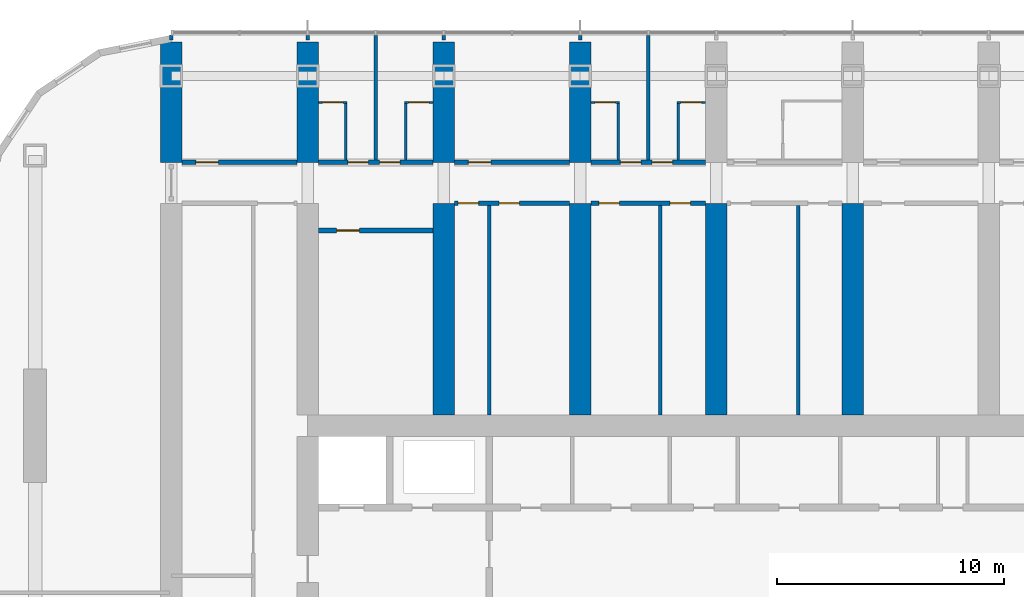
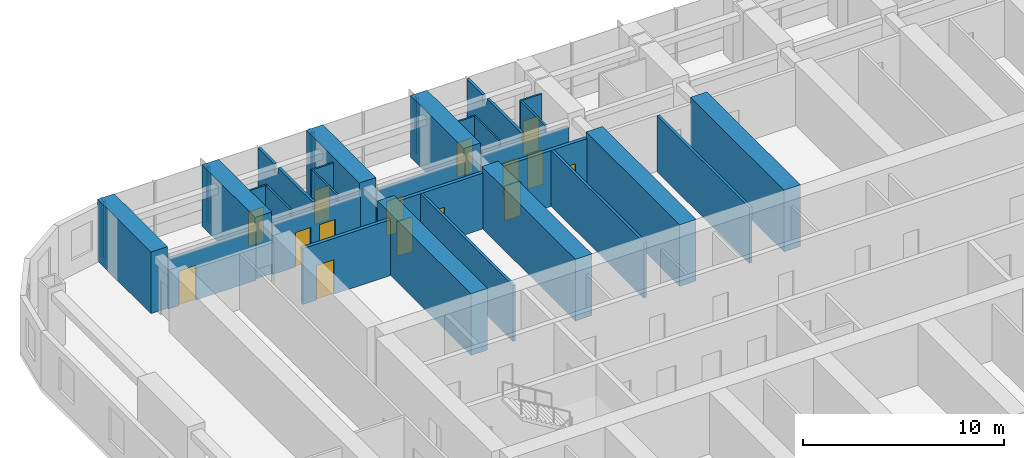
# One storey, part 13 of 20: 32 walls, 15 doors, 15 openings.
"""IFC4 building model written with IfcOpenShell, lengths in metres."""

import ifcopenshell
import ifcopenshell.guid

model = None  # the IFC model being written
_history = None  # IfcOwnerHistory: only IFC2X3 demands one
_inside = {}  # id of a spatial element -> (the spatial element, [elements in it])
_under = {}  # id of a project, library or spatial element -> (it, [spatial elements below it])
_declared = {}  # id of a project -> (the project, [libraries it declares])
_typed = {}  # id of a type object -> (the type object, [elements of that type])
_made_of = {}  # id of a material, layer set ... -> (it, [elements and type objects made of it])


def new_model(schema):
    """Start an empty IFC model of exactly this schema.

    Asked for "IFC4X3", IfcOpenShell would pick the latest addendum, in which some entities
    have other attributes; the version numbers below select the first issue.
    IFC2X3 requires an IfcOwnerHistory on every rooted entity: one is made here for all.
    """
    global model, _history
    if schema == "IFC4X3":
        model = ifcopenshell.file(schema_version=(4, 3, 0, 0))
    else:
        model = ifcopenshell.file(schema=schema)
    _inside.clear()
    _under.clear()
    _declared.clear()
    _typed.clear()
    _made_of.clear()
    _history = None
    if model.schema == "IFC2X3":
        org = make("IfcOrganization", Name="unknown")
        user = make(
            "IfcPersonAndOrganization",
            ThePerson=make("IfcPerson", FamilyName="unknown"),
            TheOrganization=org,
        )
        app = make(
            "IfcApplication",
            ApplicationDeveloper=org,
            Version="unknown",
            ApplicationFullName="unknown",
            ApplicationIdentifier="unknown",
        )
        _history = make(
            "IfcOwnerHistory",
            OwningUser=user,
            OwningApplication=app,
            ChangeAction="ADDED",
            CreationDate=0,
        )
    return model


def make(cls, **values):
    """One entity of the class cls with the attributes given. An attribute that is None is left unset."""
    return model.create_entity(
        cls, **{name: value for name, value in values.items() if value is not None}
    )


def rooted(cls, **values):
    """An entity with a GlobalId (a new one), such as an element, a storey or a relation."""
    return make(cls, GlobalId=ifcopenshell.guid.new(), OwnerHistory=_history, **values)


def si_unit(unit_type, name, prefix=None):
    """IfcSIUnit, for example si_unit("LENGTHUNIT", "METRE", prefix="MILLI")."""
    return make("IfcSIUnit", UnitType=unit_type, Prefix=prefix, Name=name)


def assignment(units):
    """IfcUnitAssignment: the units of a project."""
    return None if units is None else make("IfcUnitAssignment", Units=units)


def point(xyz):
    """IfcCartesianPoint."""
    return None if xyz is None else make("IfcCartesianPoint", Coordinates=xyz)


def direction(xyz):
    """IfcDirection."""
    return None if xyz is None else make("IfcDirection", DirectionRatios=xyz)


def frame(location, z_axis=None, x_axis=None):
    """IfcAxis2Placement3D, a coordinate frame: its origin and axes. An axis left out is left unset."""
    return make(
        "IfcAxis2Placement3D",
        Location=point(location),
        Axis=direction(z_axis),
        RefDirection=direction(x_axis),
    )


def frame_2d(location, x_axis=None):
    """IfcAxis2Placement2D, a coordinate frame in the plane: its origin and x axis."""
    return make(
        "IfcAxis2Placement2D", Location=point(location), RefDirection=direction(x_axis)
    )


def origin():
    """The frame at (0, 0, 0) with its axes left unset."""
    return frame((0.0, 0.0, 0.0))


def place(relative_to, where):
    """IfcLocalPlacement: puts the frame where relative to a parent placement (None: the world)."""
    return make(
        "IfcLocalPlacement", PlacementRelTo=relative_to, RelativePlacement=where
    )


def context(
    kind, dimensions, precision=None, world=None, true_north=None, identifier=None
):
    """IfcGeometricRepresentationContext, for example the 3D "Model" context."""
    return make(
        "IfcGeometricRepresentationContext",
        ContextIdentifier=identifier,
        ContextType=kind,
        CoordinateSpaceDimension=dimensions,
        Precision=precision,
        WorldCoordinateSystem=world,
        TrueNorth=true_north,
    )


def subcontext(parent, identifier, kind, view, scale=None):
    """IfcGeometricRepresentationSubContext, for example "Body" below "Model"."""
    return make(
        "IfcGeometricRepresentationSubContext",
        ContextIdentifier=identifier,
        ContextType=kind,
        ParentContext=parent,
        TargetScale=scale,
        TargetView=view,
    )


def project(units=None, contexts=None):
    """IfcProject with its units and contexts."""
    return rooted(
        "IfcProject",
        Name="project",
        RepresentationContexts=contexts,
        UnitsInContext=assignment(units),
    )


def spatial(cls, under=None, at=None, **own):
    """A site, building, storey or space (cls), placed at a placement, below another one or the project."""
    s = rooted(cls, ObjectPlacement=at, **own)
    if under is not None:
        _under.setdefault(under.id(), (under, []))[1].append(s)
    return s


def polyline(points):
    """IfcPolyline through the points."""
    return make("IfcPolyline", Points=[point(p) for p in points])


def profile(cls, at=None, kind="AREA", **sizes):
    """A parametric profile (cls). Its sizes go by their IFC names, for example OverallWidth=200.0."""
    return make(cls, ProfileType=kind, Position=at, **sizes)


def rectangle(**sizes):
    """IfcRectangleProfileDef."""
    return profile("IfcRectangleProfileDef", **sizes)


def outline(outer, holes=None, kind="AREA"):
    """IfcArbitraryClosedProfileDef: a profile drawn as a closed curve; with holes, ...WithVoids."""
    if holes is None:
        return make("IfcArbitraryClosedProfileDef", ProfileType=kind, OuterCurve=outer)
    return make(
        "IfcArbitraryProfileDefWithVoids",
        ProfileType=kind,
        OuterCurve=outer,
        InnerCurves=holes,
    )


def extrude(swept, where, along, depth):
    """IfcExtrudedAreaSolid: the profile swept, set in the frame where, extruded along a direction by depth."""
    return make(
        "IfcExtrudedAreaSolid",
        SweptArea=swept,
        Position=where,
        ExtrudedDirection=direction(along),
        Depth=depth,
    )


def shape(context_of_items, identifier, shape_type, items):
    """IfcShapeRepresentation: the items that make up one representation, for example the "Body"."""
    return make(
        "IfcShapeRepresentation",
        ContextOfItems=context_of_items,
        RepresentationIdentifier=identifier,
        RepresentationType=shape_type,
        Items=items,
    )


def material(Name=None, Category=None):
    """IfcMaterial."""
    return make("IfcMaterial", Name=Name, Category=Category)


def layer(
    of_material, thickness, ventilated=None, Name=None, Category=None, Priority=None
):
    """IfcMaterialLayer: one layer of a wall or slab, of a material (None: an air gap)."""
    return make(
        "IfcMaterialLayer",
        Material=of_material,
        LayerThickness=thickness,
        IsVentilated=ventilated,
        Name=Name,
        Category=Category,
        Priority=Priority,
    )


def layer_set(layers, Name=None):
    """IfcMaterialLayerSet."""
    return make("IfcMaterialLayerSet", MaterialLayers=layers, LayerSetName=Name)


def made_of(thing, what):
    """Note that an element or type object is made of a material, layer set ...; save() writes the relation."""
    if what is not None:
        _made_of.setdefault(what.id(), (what, []))[1].append(thing)
    return thing


def type_object(cls, material=None, **own):
    """A type object (cls), such as IfcWallType, which elements share."""
    return made_of(rooted(cls, **own), material)


def element(
    cls,
    number,
    at=None,
    inside=None,
    cuts=None,
    type_object=None,
    material=None,
    context=None,
    identifier="Body",
    shape_type=None,
    held_by="IfcProductDefinitionShape",
    body=None,
    shapes=None,
    **own,
):
    """One element of the class cls, such as IfcWall. Its Tag is "e" and its number.

    at: its placement. inside: the storey or other place that contains it. cuts: it is an
    opening in that element (IfcRelVoidsElement). A single representation is given by context,
    identifier, shape_type and body (its items); several are given by shapes. held_by: the class
    of the entity that holds the representations. save() writes the other relations.
    """
    e = rooted(cls, Tag="e%d" % number, ObjectPlacement=at, **own)
    if body is not None:
        shapes = [shape(context, identifier, shape_type, body)]
    if shapes is not None:
        e.Representation = make(held_by, Representations=shapes)
    if inside is not None:
        _inside.setdefault(inside.id(), (inside, []))[1].append(e)
    if cuts is not None:
        rooted(
            "IfcRelVoidsElement", RelatingBuildingElement=cuts, RelatedOpeningElement=e
        )
    if type_object is not None:
        _typed.setdefault(type_object.id(), (type_object, []))[1].append(e)
    return made_of(e, material)


def fill(opening, filler):
    """IfcRelFillsElement: the door or window that sits in an opening."""
    return rooted(
        "IfcRelFillsElement",
        RelatingOpeningElement=opening,
        RelatedBuildingElement=filler,
    )


def aggregate(whole, parts):
    """IfcRelAggregates: a whole, such as a stair, and the parts it consists of."""
    return rooted("IfcRelAggregates", RelatingObject=whole, RelatedObjects=parts)


def save(model, path):
    """Write the relations noted so far, then the file.

    IfcRelAggregates (storeys below a building ...), IfcRelContainedInSpatialStructure (elements
    in a storey), IfcRelDefinesByType, IfcRelAssociatesMaterial and IfcRelDeclares: one each for
    every whole, place, type object, material and project.
    """
    for whole, parts in _under.values():
        aggregate(whole, parts)
    for where, things in _inside.values():
        rooted(
            "IfcRelContainedInSpatialStructure",
            RelatedElements=things,
            RelatingStructure=where,
        )
    for kind, things in _typed.values():
        rooted("IfcRelDefinesByType", RelatedObjects=things, RelatingType=kind)
    for what, things in _made_of.values():
        rooted("IfcRelAssociatesMaterial", RelatedObjects=things, RelatingMaterial=what)
    for by, libraries in _declared.values():
        rooted("IfcRelDeclares", RelatingContext=by, RelatedDefinitions=libraries)
    model.write(path)


model = new_model("IFC4")

# Units and contexts
model_context = context("Model", 3, precision=1e-05, world=origin(), true_north=direction((0.0, 1.0)))
body_context = subcontext(model_context, "Body", "Model", "MODEL_VIEW")
ifc_project = project(units=[si_unit("LENGTHUNIT", "METRE"), si_unit("AREAUNIT", "SQUARE_METRE"), si_unit("VOLUMEUNIT", "CUBIC_METRE"), si_unit("PLANEANGLEUNIT", "RADIAN"), si_unit("MASSUNIT", "GRAM", prefix="KILO")], contexts=[model_context])

# Site, building, storey
site_placement = place(None, origin())
site = spatial("IfcSite", under=ifc_project, at=site_placement, CompositionType="ELEMENT")
building_placement = place(site_placement, origin())
building = spatial("IfcBuilding", under=site, at=building_placement, Name="Orbita Commons", CompositionType="ELEMENT")
storey_placement = place(building_placement, frame((0.0, 0.0, 129.39990234375)))
storey = spatial("IfcBuildingStorey", under=building, at=storey_placement, Name="L32", CompositionType="ELEMENT", Elevation=129.39990234375)

# Wall, opening, door
ifc_material_1 = material(Name="Concrete blockwork", Category="masonry")
ifc_layer_1 = layer(ifc_material_1, 0.199951171875)
ifc_layer_set_1 = layer_set([ifc_layer_1], Name="Concrete blockwork")
wall_type_1 = type_object("IfcWallType", Name="Corridor wall 200 blockwork", PredefinedType="SOLIDWALL", material=ifc_layer_set_1)
wall_1_placement = place(storey_placement, frame((12.47509765625, 49.800048828125, 0.0), z_axis=(0.0, 0.0, 1.0), x_axis=(1.0, 0.0, 0.0)))
wall_1 = element("IfcWall", 1, at=wall_1_placement, inside=storey, type_object=wall_type_1, Name="Corridor wall 200 blockwork L32", PredefinedType="SOLIDWALL", context=body_context, shape_type="SweptSolid", body=[
    extrude(outline(polyline([(0.0, 0.0), (5.0498046875, 0.0), (5.050048828125, 3.0), (0.0, 3.0), (0.0, 0.0)])), frame((0.0, 0.10009765625, 0.0), z_axis=(0.0, -1.0, 0.0), x_axis=(1.0, 0.0, 0.0)), (0.0, 0.0, 1.0), 0.199951171875),
])
opening_1_placement = place(wall_1_placement, frame((0.60009765625, 0.0, 0.0)))
opening_1 = element("IfcOpeningElement", 2, at=opening_1_placement, cuts=wall_1, Name="Opening D06", PredefinedType="OPENING", context=body_context, shape_type="SweptSolid", body=[
    extrude(rectangle(XDim=1.0, YDim=2.10009765625, at=frame_2d((0.5, 1.050048828125))), frame((0.0, 0.10986328125, 0.0), z_axis=(0.0, -1.0, 0.0), x_axis=(1.0, 0.0, 0.0)), (0.0, 0.0, 1.0), 0.219970703125),
])
ifc_material_2 = material(Name="Steel-faced fire door leaf", Category="steel")
door_type_1 = type_object("IfcDoorType", Name="Corridor door 20 min 1000x2100", OperationType="SINGLE_SWING_LEFT", PredefinedType="DOOR", material=ifc_material_2)
door_1_placement = place(opening_1_placement, origin())
door_1 = element("IfcDoor", 3, at=door_1_placement, inside=storey, type_object=door_type_1, Name="Sea-view lounge L32-N00 door", OperationType="SINGLE_SWING_LEFT", OverallHeight=2.10009765625, OverallWidth=1.0, PredefinedType="DOOR", context=body_context, shape_type="SweptSolid", body=[
    extrude(rectangle(XDim=1.0, YDim=2.10009765625, at=frame_2d((0.5, 1.050048828125))), frame((0.0, 0.02490234375, 0.0), z_axis=(0.0, -1.0, 0.0), x_axis=(1.0, 0.0, 0.0)), (0.0, 0.0, 1.0), 0.050048828125),
])
fill(opening_1, door_1)

# Wall, openings, doors
wall_2_placement = place(storey_placement, frame((18.47509765625, 49.800048828125, 0.0), z_axis=(0.0, 0.0, 1.0), x_axis=(1.0, 0.0, 0.0)))
wall_2 = element("IfcWall", 4, at=wall_2_placement, inside=storey, type_object=wall_type_1, Name="Corridor wall 200 blockwork L32", PredefinedType="SOLIDWALL", context=body_context, shape_type="SweptSolid", body=[
    extrude(outline(polyline([(0.0, 0.0), (5.0498046875, 0.0), (5.050048828125, 3.0), (0.0, 3.0), (0.0, 0.0)])), frame((0.0, 0.10009765625, 0.0), z_axis=(0.0, -1.0, 0.0), x_axis=(1.0, 0.0, 0.0)), (0.0, 0.0, 1.0), 0.199951171875),
])
opening_2_placement = place(wall_2_placement, frame((1.300048828125, 0.0, 0.0)))
opening_2 = element("IfcOpeningElement", 5, at=opening_2_placement, cuts=wall_2, Name="Opening D11", PredefinedType="OPENING", context=body_context, shape_type="SweptSolid", body=[
    extrude(rectangle(XDim=0.89990234375, YDim=2.10009765625, at=frame_2d((0.449951171875, 1.050048828125))), frame((0.0, 0.10986328125, 0.0), z_axis=(0.0, -1.0, 0.0), x_axis=(1.0, 0.0, 0.0)), (0.0, 0.0, 1.0), 0.219970703125),
])
opening_3_placement = place(wall_2_placement, frame((2.699951171875, 0.0, 0.0)))
opening_3 = element("IfcOpeningElement", 6, at=opening_3_placement, cuts=wall_2, Name="Opening D11", PredefinedType="OPENING", context=body_context, shape_type="SweptSolid", body=[
    extrude(rectangle(XDim=0.89990234375, YDim=2.10009765625, at=frame_2d((0.449951171875, 1.050048828125))), frame((0.0, 0.10986328125, 0.0), z_axis=(0.0, -1.0, 0.0), x_axis=(1.0, 0.0, 0.0)), (0.0, 0.0, 1.0), 0.219970703125),
])
ifc_material_3 = material(Name="Steel-faced fire door leaf", Category="steel")
door_type_2 = type_object("IfcDoorType", Name="Corridor door 20 min 900x2100", OperationType="SINGLE_SWING_LEFT", PredefinedType="DOOR", material=ifc_material_3)
door_2_placement = place(opening_2_placement, origin())
door_2 = element("IfcDoor", 7, at=door_2_placement, inside=storey, type_object=door_type_2, Name="Cluster bedroom L32-N02 door", OperationType="SINGLE_SWING_LEFT", OverallHeight=2.10009765625, OverallWidth=0.89990234375, PredefinedType="DOOR", context=body_context, shape_type="SweptSolid", body=[
    extrude(rectangle(XDim=0.89990234375, YDim=2.10009765625, at=frame_2d((0.449951171875, 1.050048828125))), frame((0.0, 0.02490234375, 0.0), z_axis=(0.0, -1.0, 0.0), x_axis=(1.0, 0.0, 0.0)), (0.0, 0.0, 1.0), 0.050048828125),
])
fill(opening_2, door_2)
door_3_placement = place(opening_3_placement, origin())
door_3 = element("IfcDoor", 8, at=door_3_placement, inside=storey, type_object=door_type_2, Name="Cluster bedroom L32-N03 door", OperationType="SINGLE_SWING_LEFT", OverallHeight=2.10009765625, OverallWidth=0.89990234375, PredefinedType="DOOR", context=body_context, shape_type="SweptSolid", body=[
    extrude(rectangle(XDim=0.89990234375, YDim=2.10009765625, at=frame_2d((0.449951171875, 1.050048828125))), frame((0.0, 0.02490234375, 0.0), z_axis=(0.0, -1.0, 0.0), x_axis=(1.0, 0.0, 0.0)), (0.0, 0.0, 1.0), 0.050048828125),
])
fill(opening_3, door_3)

# Wall, opening, door
wall_3_placement = place(storey_placement, frame((24.47509765625, 49.800048828125, 0.0), z_axis=(0.0, 0.0, 1.0), x_axis=(1.0, 0.0, 0.0)))
wall_3 = element("IfcWall", 9, at=wall_3_placement, inside=storey, type_object=wall_type_1, Name="Corridor wall 200 blockwork L32", PredefinedType="SOLIDWALL", context=body_context, shape_type="SweptSolid", body=[
    extrude(outline(polyline([(0.0, 0.0), (5.0498046875, 0.0), (5.050048828125, 3.0), (0.0, 3.0), (0.0, 0.0)])), frame((0.0, 0.10009765625, 0.0), z_axis=(0.0, -1.0, 0.0), x_axis=(1.0, 0.0, 0.0)), (0.0, 0.0, 1.0), 0.199951171875),
])
opening_4_placement = place(wall_3_placement, frame((0.60009765625, 0.0, 0.0)))
opening_4 = element("IfcOpeningElement", 10, at=opening_4_placement, cuts=wall_3, Name="Opening D06", PredefinedType="OPENING", context=body_context, shape_type="SweptSolid", body=[
    extrude(rectangle(XDim=1.0, YDim=2.10009765625, at=frame_2d((0.5, 1.050048828125))), frame((0.0, 0.10986328125, 0.0), z_axis=(0.0, -1.0, 0.0), x_axis=(1.0, 0.0, 0.0)), (0.0, 0.0, 1.0), 0.219970703125),
])
door_4_placement = place(opening_4_placement, origin())
door_4 = element("IfcDoor", 11, at=door_4_placement, inside=storey, type_object=door_type_1, Name="Sea-view lounge L32-N04 door", OperationType="SINGLE_SWING_LEFT", OverallHeight=2.10009765625, OverallWidth=1.0, PredefinedType="DOOR", context=body_context, shape_type="SweptSolid", body=[
    extrude(rectangle(XDim=1.0, YDim=2.10009765625, at=frame_2d((0.5, 1.050048828125))), frame((0.0, 0.02490234375, 0.0), z_axis=(0.0, -1.0, 0.0), x_axis=(1.0, 0.0, 0.0)), (0.0, 0.0, 1.0), 0.050048828125),
])
fill(opening_4, door_4)

# Wall, openings, doors
wall_4_placement = place(storey_placement, frame((30.47509765625, 49.800048828125, 0.0), z_axis=(0.0, 0.0, 1.0), x_axis=(1.0, 0.0, 0.0)))
wall_4 = element("IfcWall", 12, at=wall_4_placement, inside=storey, type_object=wall_type_1, Name="Corridor wall 200 blockwork L32", PredefinedType="SOLIDWALL", context=body_context, shape_type="SweptSolid", body=[
    extrude(outline(polyline([(0.0, 0.0), (5.0498046875, 0.0), (5.050048828125, 3.0), (0.0, 3.0), (0.0, 0.0)])), frame((0.0, 0.10009765625, 0.0), z_axis=(0.0, -1.0, 0.0), x_axis=(1.0, 0.0, 0.0)), (0.0, 0.0, 1.0), 0.199951171875),
])
opening_5_placement = place(wall_4_placement, frame((1.300048828125, 0.0, 0.0)))
opening_5 = element("IfcOpeningElement", 13, at=opening_5_placement, cuts=wall_4, Name="Opening D11", PredefinedType="OPENING", context=body_context, shape_type="SweptSolid", body=[
    extrude(rectangle(XDim=0.89990234375, YDim=2.10009765625, at=frame_2d((0.449951171875, 1.050048828125))), frame((0.0, 0.10986328125, 0.0), z_axis=(0.0, -1.0, 0.0), x_axis=(1.0, 0.0, 0.0)), (0.0, 0.0, 1.0), 0.219970703125),
])
opening_6_placement = place(wall_4_placement, frame((2.699951171875, 0.0, 0.0)))
opening_6 = element("IfcOpeningElement", 14, at=opening_6_placement, cuts=wall_4, Name="Opening D11", PredefinedType="OPENING", context=body_context, shape_type="SweptSolid", body=[
    extrude(rectangle(XDim=0.89990234375, YDim=2.10009765625, at=frame_2d((0.449951171875, 1.050048828125))), frame((0.0, 0.10986328125, 0.0), z_axis=(0.0, -1.0, 0.0), x_axis=(1.0, 0.0, 0.0)), (0.0, 0.0, 1.0), 0.219970703125),
])
door_5_placement = place(opening_5_placement, origin())
door_5 = element("IfcDoor", 15, at=door_5_placement, inside=storey, type_object=door_type_2, Name="Cluster bedroom L32-N06 door", OperationType="SINGLE_SWING_LEFT", OverallHeight=2.10009765625, OverallWidth=0.89990234375, PredefinedType="DOOR", context=body_context, shape_type="SweptSolid", body=[
    extrude(rectangle(XDim=0.89990234375, YDim=2.10009765625, at=frame_2d((0.449951171875, 1.050048828125))), frame((0.0, 0.02490234375, 0.0), z_axis=(0.0, -1.0, 0.0), x_axis=(1.0, 0.0, 0.0)), (0.0, 0.0, 1.0), 0.050048828125),
])
fill(opening_5, door_5)
door_6_placement = place(opening_6_placement, origin())
door_6 = element("IfcDoor", 16, at=door_6_placement, inside=storey, type_object=door_type_2, Name="Cluster bedroom L32-N07 door", OperationType="SINGLE_SWING_LEFT", OverallHeight=2.10009765625, OverallWidth=0.89990234375, PredefinedType="DOOR", context=body_context, shape_type="SweptSolid", body=[
    extrude(rectangle(XDim=0.89990234375, YDim=2.10009765625, at=frame_2d((0.449951171875, 1.050048828125))), frame((0.0, 0.02490234375, 0.0), z_axis=(0.0, -1.0, 0.0), x_axis=(1.0, 0.0, 0.0)), (0.0, 0.0, 1.0), 0.050048828125),
])
fill(opening_6, door_6)

ifc_material_4 = material(Name="Hollow concrete block 200", Category="concrete")
ifc_layer_2 = layer(ifc_material_4, 0.199951171875)
ifc_layer_set_2 = layer_set([ifc_layer_2], Name="Hollow concrete block 200")
wall_type_2 = type_object("IfcWallType", Name="Corridor wall 200 hollow concrete block", PredefinedType="SOLIDWALL", material=ifc_layer_set_2)
wall_5_placement = place(storey_placement, frame((24.47509765625, 48.0, 0.0), z_axis=(0.0, 0.0, 1.0), x_axis=(1.0, 0.0, 0.0)))
wall_5 = element("IfcWall", 17, at=wall_5_placement, inside=storey, type_object=wall_type_2, Name="Corridor wall 200 hollow concrete block L32", PredefinedType="SOLIDWALL", context=body_context, shape_type="SweptSolid", body=[
    extrude(rectangle(XDim=5.0498046875, YDim=0.199951171875, at=frame_2d((2.52490234375, 0.0))), origin(), (0.0, 0.0, 1.0), 3.400146484375),
])
opening_7_placement = place(wall_5_placement, frame((0.14990234375, 0.0, 0.0)))
opening_7 = element("IfcOpeningElement", 18, at=opening_7_placement, cuts=wall_5, Name="Opening D11", PredefinedType="OPENING", context=body_context, shape_type="SweptSolid", body=[
    extrude(rectangle(XDim=0.89990234375, YDim=2.10009765625, at=frame_2d((0.449951171875, 1.050048828125))), frame((0.0, 0.10986328125, 0.0), z_axis=(0.0, -1.0, 0.0), x_axis=(1.0, 0.0, 0.0)), (0.0, 0.0, 1.0), 0.219970703125),
])
opening_8_placement = place(wall_5_placement, frame((1.955078125, 0.0, 0.0)))
opening_8 = element("IfcOpeningElement", 19, at=opening_8_placement, cuts=wall_5, Name="Opening D11", PredefinedType="OPENING", context=body_context, shape_type="SweptSolid", body=[
    extrude(rectangle(XDim=0.89990234375, YDim=2.10009765625, at=frame_2d((0.449951171875, 1.050048828125))), frame((0.0, 0.10986328125, 0.0), z_axis=(0.0, -1.0, 0.0), x_axis=(1.0, 0.0, 0.0)), (0.0, 0.0, 1.0), 0.219970703125),
])
door_7_placement = place(opening_7_placement, origin())
door_7 = element("IfcDoor", 20, at=door_7_placement, inside=storey, type_object=door_type_2, Name="Sprinkler valve room L32-BDN24n door", OperationType="SINGLE_SWING_LEFT", OverallHeight=2.10009765625, OverallWidth=0.89990234375, PredefinedType="DOOR", context=body_context, shape_type="SweptSolid", body=[
    extrude(rectangle(XDim=0.89990234375, YDim=2.10009765625, at=frame_2d((0.449951171875, 1.050048828125))), frame((0.0, 0.02490234375, 0.0), z_axis=(0.0, -1.0, 0.0), x_axis=(1.0, 0.0, 0.0)), (0.0, 0.0, 1.0), 0.050048828125),
])
fill(opening_7, door_7)
door_8_placement = place(opening_8_placement, origin())
door_8 = element("IfcDoor", 21, at=door_8_placement, inside=storey, type_object=door_type_2, Name="Ventilation plant room north L32-BDN24 door", OperationType="SINGLE_SWING_LEFT", OverallHeight=2.10009765625, OverallWidth=0.89990234375, PredefinedType="DOOR", context=body_context, shape_type="SweptSolid", body=[
    extrude(rectangle(XDim=0.89990234375, YDim=2.10009765625, at=frame_2d((0.449951171875, 1.050048828125))), frame((0.0, 0.02490234375, 0.0), z_axis=(0.0, -1.0, 0.0), x_axis=(1.0, 0.0, 0.0)), (0.0, 0.0, 1.0), 0.050048828125),
])
fill(opening_8, door_8)

wall_6_placement = place(storey_placement, frame((30.47509765625, 48.0, 0.0), z_axis=(0.0, 0.0, 1.0), x_axis=(1.0, 0.0, 0.0)))
wall_6 = element("IfcWall", 22, at=wall_6_placement, inside=storey, type_object=wall_type_2, Name="Corridor wall 200 hollow concrete block L32", PredefinedType="SOLIDWALL", context=body_context, shape_type="SweptSolid", body=[
    extrude(rectangle(XDim=5.0498046875, YDim=0.199951171875, at=frame_2d((2.52490234375, 0.0))), origin(), (0.0, 0.0, 1.0), 3.400146484375),
])
opening_9_placement = place(wall_6_placement, frame((0.35009765625, 0.0, 0.0)))
opening_9 = element("IfcOpeningElement", 23, at=opening_9_placement, cuts=wall_6, Name="Opening D11", PredefinedType="OPENING", context=body_context, shape_type="SweptSolid", body=[
    extrude(rectangle(XDim=0.89990234375, YDim=2.10009765625, at=frame_2d((0.449951171875, 1.050048828125))), frame((0.0, 0.10986328125, 0.0), z_axis=(0.0, -1.0, 0.0), x_axis=(1.0, 0.0, 0.0)), (0.0, 0.0, 1.0), 0.219970703125),
])
opening_10_placement = place(wall_6_placement, frame((3.485107421875, 0.0, 0.0)))
opening_10 = element("IfcOpeningElement", 24, at=opening_10_placement, cuts=wall_6, Name="Opening D11", PredefinedType="OPENING", context=body_context, shape_type="SweptSolid", body=[
    extrude(rectangle(XDim=0.89990234375, YDim=2.10009765625, at=frame_2d((0.449951171875, 1.050048828125))), frame((0.0, 0.10986328125, 0.0), z_axis=(0.0, -1.0, 0.0), x_axis=(1.0, 0.0, 0.0)), (0.0, 0.0, 1.0), 0.219970703125),
])
door_9_placement = place(opening_9_placement, origin())
door_9 = element("IfcDoor", 25, at=door_9_placement, inside=storey, type_object=door_type_2, Name="Riser access cupboard L32-BDN30n door", OperationType="SINGLE_SWING_LEFT", OverallHeight=2.10009765625, OverallWidth=0.89990234375, PredefinedType="DOOR", context=body_context, shape_type="SweptSolid", body=[
    extrude(rectangle(XDim=0.89990234375, YDim=2.10009765625, at=frame_2d((0.449951171875, 1.050048828125))), frame((0.0, 0.02490234375, 0.0), z_axis=(0.0, -1.0, 0.0), x_axis=(1.0, 0.0, 0.0)), (0.0, 0.0, 1.0), 0.050048828125),
])
fill(opening_9, door_9)
door_10_placement = place(opening_10_placement, origin())
door_10 = element("IfcDoor", 26, at=door_10_placement, inside=storey, type_object=door_type_2, Name="Parcel and post room L32-BDN30 door", OperationType="SINGLE_SWING_LEFT", OverallHeight=2.10009765625, OverallWidth=0.89990234375, PredefinedType="DOOR", context=body_context, shape_type="SweptSolid", body=[
    extrude(rectangle(XDim=0.89990234375, YDim=2.10009765625, at=frame_2d((0.449951171875, 1.050048828125))), frame((0.0, 0.02490234375, 0.0), z_axis=(0.0, -1.0, 0.0), x_axis=(1.0, 0.0, 0.0)), (0.0, 0.0, 1.0), 0.050048828125),
])
fill(opening_10, door_10)

# Wall, opening, door
wall_7_placement = place(storey_placement, frame((18.47509765625, 46.800048828125, 0.0), z_axis=(0.0, 0.0, 1.0), x_axis=(1.0, 0.0, 0.0)))
wall_7 = element("IfcWall", 27, at=wall_7_placement, inside=storey, type_object=wall_type_2, Name="Corridor wall 200 hollow concrete block L32", PredefinedType="SOLIDWALL", context=body_context, shape_type="SweptSolid", body=[
    extrude(rectangle(XDim=5.0498046875, YDim=0.199951171875, at=frame_2d((2.52490234375, 0.0))), origin(), (0.0, 0.0, 1.0), 3.400146484375),
])
opening_11_placement = place(wall_7_placement, frame((0.800048828125, 0.0, 0.0)))
opening_11 = element("IfcOpeningElement", 28, at=opening_11_placement, cuts=wall_7, Name="Opening D06", PredefinedType="OPENING", context=body_context, shape_type="SweptSolid", body=[
    extrude(rectangle(XDim=1.0, YDim=2.10009765625, at=frame_2d((0.5, 1.050048828125))), frame((0.0, 0.10986328125, 0.0), z_axis=(0.0, -1.0, 0.0), x_axis=(1.0, 0.0, 0.0)), (0.0, 0.0, 1.0), 0.219970703125),
])
door_11_placement = place(opening_11_placement, origin())
door_11 = element("IfcDoor", 29, at=door_11_placement, inside=storey, type_object=door_type_1, Name="Electrical and data room L32-BDN18 door", OperationType="SINGLE_SWING_LEFT", OverallHeight=2.10009765625, OverallWidth=1.0, PredefinedType="DOOR", context=body_context, shape_type="SweptSolid", body=[
    extrude(rectangle(XDim=1.0, YDim=2.10009765625, at=frame_2d((0.5, 1.050048828125))), frame((0.0, 0.02490234375, 0.0), z_axis=(0.0, -1.0, 0.0), x_axis=(1.0, 0.0, 0.0)), (0.0, 0.0, 1.0), 0.050048828125),
])
fill(opening_11, door_11)

# Walls
ifc_material_5 = material(Name="Concrete C50/60", Category="concrete")
ifc_layer_3 = layer(ifc_material_5, 0.949951171875)
ifc_layer_set_3 = layer_set([ifc_layer_3], Name="Concrete C50/60")
wall_type_3 = type_object("IfcWallType", Name="Cross wall 950 C50/60", PredefinedType="SHEAR", material=ifc_layer_set_3)
for number, where, z_axis, x_axis, name in (
    (30, (12.0, 49.800048828125, 0.0), (0.0, 0.0, 1.0), (0.0, 1.0, 0.0), "Cross wall 3 north outer L32"),
    (31, (18.0, 49.800048828125, 0.0), (0.0, 0.0, 1.0), (0.0, 1.0, 0.0), "Cross wall 4 north outer L32"),
    (32, (24.0, 49.800048828125, 0.0), (0.0, 0.0, 1.0), (0.0, 1.0, 0.0), "Cross wall 5 north outer L32"),
):
    element("IfcWall", number, at=place(storey_placement, frame(where, z_axis=z_axis, x_axis=x_axis)), inside=storey, type_object=wall_type_3, Name=name, PredefinedType="SHEAR", context=body_context, shape_type="SweptSolid", body=[
        extrude(rectangle(XDim=5.300048828125, YDim=0.949951171875, at=frame_2d((2.64990234375, 0.0))), origin(), (0.0, 0.0, 1.0), 3.75),
    ])
wall_8_placement = place(storey_placement, frame((24.0, 38.675048828125, 0.0), z_axis=(0.0, 0.0, 1.0), x_axis=(0.0, 1.0, 0.0)))
element("IfcWall", 33, at=wall_8_placement, inside=storey, type_object=wall_type_3, Name="Cross wall 5 north inner L32", PredefinedType="SHEAR", context=body_context, shape_type="SweptSolid", body=[
    extrude(rectangle(XDim=9.324951171875, YDim=0.949951171875, at=frame_2d((4.66259765625, 0.0))), origin(), (0.0, 0.0, 1.0), 3.75),
])
wall_9_placement = place(storey_placement, frame((30.0, 49.800048828125, 0.0), z_axis=(0.0, 0.0, 1.0), x_axis=(0.0, 1.0, 0.0)))
element("IfcWall", 34, at=wall_9_placement, inside=storey, type_object=wall_type_3, Name="Cross wall 6 north outer L32", PredefinedType="SHEAR", context=body_context, shape_type="SweptSolid", body=[
    extrude(rectangle(XDim=5.300048828125, YDim=0.949951171875, at=frame_2d((2.64990234375, 0.0))), origin(), (0.0, 0.0, 1.0), 3.75),
])
for number, where, z_axis, x_axis, name in (
    (35, (30.0, 38.675048828125, 0.0), (0.0, 0.0, 1.0), (0.0, 1.0, 0.0), "Cross wall 6 north inner L32"),
    (36, (36.0, 38.675048828125, 0.0), (0.0, 0.0, 1.0), (0.0, 1.0, 0.0), "Cross wall 7 north inner L32"),
    (37, (42.0, 38.675048828125, 0.0), (0.0, 0.0, 1.0), (0.0, 1.0, 0.0), "Cross wall 8 north inner L32"),
):
    element("IfcWall", number, at=place(storey_placement, frame(where, z_axis=z_axis, x_axis=x_axis)), inside=storey, type_object=wall_type_3, Name=name, PredefinedType="SHEAR", context=body_context, shape_type="SweptSolid", body=[
        extrude(rectangle(XDim=9.324951171875, YDim=0.949951171875, at=frame_2d((4.66259765625, 0.0))), origin(), (0.0, 0.0, 1.0), 3.75),
    ])

# Wall, opening, door
ifc_material_6 = material(Name="Moisture-resistant plasterboard on steel studs", Category="steel")
ifc_layer_4 = layer(ifc_material_6, 0.10009765625)
ifc_layer_set_4 = layer_set([ifc_layer_4], Name="Moisture-resistant plasterboard on steel studs")
wall_type_4 = type_object("IfcWallType", Name="En-suite partition 100", PredefinedType="PARTITIONING", material=ifc_layer_set_4)
wall_10_placement = place(storey_placement, frame((18.47509765625, 52.441650390625, 0.0), z_axis=(0.0, 0.0, 1.0), x_axis=(1.0, 0.0, 0.0)))
wall_10 = element("IfcWall", 38, at=wall_10_placement, inside=storey, type_object=wall_type_4, Name="En-suite partition 100 L32", PredefinedType="PARTITIONING", context=body_context, shape_type="SweptSolid", body=[
    extrude(rectangle(XDim=1.25, YDim=0.10009765625, at=frame_2d((0.625, 0.0))), origin(), (0.0, 0.0, 1.0), 3.400146484375),
])
opening_12_placement = place(wall_10_placement, frame((0.175048828125, 0.0, 0.0)))
opening_12 = element("IfcOpeningElement", 39, at=opening_12_placement, cuts=wall_10, Name="Opening D09", PredefinedType="OPENING", context=body_context, shape_type="SweptSolid", body=[
    extrude(rectangle(XDim=0.89990234375, YDim=2.10009765625, at=frame_2d((0.449951171875, 1.050048828125))), frame((0.0, 0.06005859375, 0.0), z_axis=(0.0, -1.0, 0.0), x_axis=(1.0, 0.0, 0.0)), (0.0, 0.0, 1.0), 0.1201171875),
])
ifc_material_7 = material(Name="Laminated timber door leaf", Category="wood")
door_type_3 = type_object("IfcDoorType", Name="En-suite door 900x2100", OperationType="SINGLE_SWING_RIGHT", PredefinedType="DOOR", material=ifc_material_7)
door_12_placement = place(opening_12_placement, origin())
door_12 = element("IfcDoor", 40, at=door_12_placement, inside=storey, type_object=door_type_3, Name="En-suite L32-N02 door", OperationType="SINGLE_SWING_RIGHT", OverallHeight=2.10009765625, OverallWidth=0.89990234375, PredefinedType="DOOR", context=body_context, shape_type="SweptSolid", body=[
    extrude(rectangle(XDim=0.89990234375, YDim=2.10009765625, at=frame_2d((0.449951171875, 1.050048828125))), frame((0.0, 0.02490234375, 0.0), z_axis=(0.0, -1.0, 0.0), x_axis=(1.0, 0.0, 0.0)), (0.0, 0.0, 1.0), 0.050048828125),
])
fill(opening_12, door_12)

# Wall
wall_11_placement = place(storey_placement, frame((19.675048828125, 52.3916015625, 0.0), z_axis=(0.0, 0.0, 1.0), x_axis=(0.0, -1.0, 0.0)))
element("IfcWall", 41, at=wall_11_placement, inside=storey, type_object=wall_type_4, Name="En-suite partition 100 L32", PredefinedType="PARTITIONING", context=body_context, shape_type="SweptSolid", body=[
    extrude(outline(polyline([(0.0, 0.0), (2.49169921875, 0.0), (2.49169921875, 3.0), (2.443603515625, 3.0), (2.441650390625, 3.400146484375), (0.0, 3.400146484375), (0.0, 0.0)])), frame((0.0, 0.050048828125, 0.0), z_axis=(0.0, -1.0, 0.0), x_axis=(1.0, 0.0, 0.0)), (0.0, 0.0, 1.0), 0.10009765625),
])

# Wall, opening, door
wall_12_placement = place(storey_placement, frame((22.27490234375, 52.441650390625, 0.0), z_axis=(0.0, 0.0, 1.0), x_axis=(1.0, 0.0, 0.0)))
wall_12 = element("IfcWall", 42, at=wall_12_placement, inside=storey, type_object=wall_type_4, Name="En-suite partition 100 L32", PredefinedType="PARTITIONING", context=body_context, shape_type="SweptSolid", body=[
    extrude(rectangle(XDim=1.25, YDim=0.10009765625, at=frame_2d((0.625, 0.0))), origin(), (0.0, 0.0, 1.0), 3.400146484375),
])
opening_13_placement = place(wall_12_placement, frame((0.175048828125, 0.0, 0.0)))
opening_13 = element("IfcOpeningElement", 43, at=opening_13_placement, cuts=wall_12, Name="Opening D09", PredefinedType="OPENING", context=body_context, shape_type="SweptSolid", body=[
    extrude(rectangle(XDim=0.89990234375, YDim=2.10009765625, at=frame_2d((0.449951171875, 1.050048828125))), frame((0.0, 0.06005859375, 0.0), z_axis=(0.0, -1.0, 0.0), x_axis=(1.0, 0.0, 0.0)), (0.0, 0.0, 1.0), 0.1201171875),
])
door_13_placement = place(opening_13_placement, origin())
door_13 = element("IfcDoor", 44, at=door_13_placement, inside=storey, type_object=door_type_3, Name="En-suite L32-N03 door", OperationType="SINGLE_SWING_RIGHT", OverallHeight=2.10009765625, OverallWidth=0.89990234375, PredefinedType="DOOR", context=body_context, shape_type="SweptSolid", body=[
    extrude(rectangle(XDim=0.89990234375, YDim=2.10009765625, at=frame_2d((0.449951171875, 1.050048828125))), frame((0.0, 0.02490234375, 0.0), z_axis=(0.0, -1.0, 0.0), x_axis=(1.0, 0.0, 0.0)), (0.0, 0.0, 1.0), 0.050048828125),
])
fill(opening_13, door_13)

# Wall
wall_13_placement = place(storey_placement, frame((22.324951171875, 52.3916015625, 0.0), z_axis=(0.0, 0.0, 1.0), x_axis=(0.0, -1.0, 0.0)))
element("IfcWall", 45, at=wall_13_placement, inside=storey, type_object=wall_type_4, Name="En-suite partition 100 L32", PredefinedType="PARTITIONING", context=body_context, shape_type="SweptSolid", body=[
    extrude(outline(polyline([(0.0, 0.0), (2.49169921875, 0.0), (2.49169921875, 3.0), (2.443603515625, 3.0), (2.441650390625, 3.400146484375), (0.0, 3.400146484375), (0.0, 0.0)])), frame((0.0, 0.050048828125, 0.0), z_axis=(0.0, -1.0, 0.0), x_axis=(1.0, 0.0, 0.0)), (0.0, 0.0, 1.0), 0.10009765625),
])

# Wall, opening, door
wall_14_placement = place(storey_placement, frame((30.47509765625, 52.441650390625, 0.0), z_axis=(0.0, 0.0, 1.0), x_axis=(1.0, 0.0, 0.0)))
wall_14 = element("IfcWall", 46, at=wall_14_placement, inside=storey, type_object=wall_type_4, Name="En-suite partition 100 L32", PredefinedType="PARTITIONING", context=body_context, shape_type="SweptSolid", body=[
    extrude(rectangle(XDim=1.25, YDim=0.10009765625, at=frame_2d((0.625, 0.0))), origin(), (0.0, 0.0, 1.0), 3.400146484375),
])
opening_14_placement = place(wall_14_placement, frame((0.175048828125, 0.0, 0.0)))
opening_14 = element("IfcOpeningElement", 47, at=opening_14_placement, cuts=wall_14, Name="Opening D09", PredefinedType="OPENING", context=body_context, shape_type="SweptSolid", body=[
    extrude(rectangle(XDim=0.89990234375, YDim=2.10009765625, at=frame_2d((0.449951171875, 1.050048828125))), frame((0.0, 0.06005859375, 0.0), z_axis=(0.0, -1.0, 0.0), x_axis=(1.0, 0.0, 0.0)), (0.0, 0.0, 1.0), 0.1201171875),
])
door_14_placement = place(opening_14_placement, origin())
door_14 = element("IfcDoor", 48, at=door_14_placement, inside=storey, type_object=door_type_3, Name="En-suite L32-N06 door", OperationType="SINGLE_SWING_RIGHT", OverallHeight=2.10009765625, OverallWidth=0.89990234375, PredefinedType="DOOR", context=body_context, shape_type="SweptSolid", body=[
    extrude(rectangle(XDim=0.89990234375, YDim=2.10009765625, at=frame_2d((0.449951171875, 1.050048828125))), frame((0.0, 0.02490234375, 0.0), z_axis=(0.0, -1.0, 0.0), x_axis=(1.0, 0.0, 0.0)), (0.0, 0.0, 1.0), 0.050048828125),
])
fill(opening_14, door_14)

# Wall
wall_15_placement = place(storey_placement, frame((31.675048828125, 52.3916015625, 0.0), z_axis=(0.0, 0.0, 1.0), x_axis=(0.0, -1.0, 0.0)))
element("IfcWall", 49, at=wall_15_placement, inside=storey, type_object=wall_type_4, Name="En-suite partition 100 L32", PredefinedType="PARTITIONING", context=body_context, shape_type="SweptSolid", body=[
    extrude(outline(polyline([(0.0, 0.0), (2.49169921875, 0.0), (2.49169921875, 3.0), (2.443603515625, 3.0), (2.441650390625, 3.400146484375), (0.0, 3.400146484375), (0.0, 0.0)])), frame((0.0, 0.050048828125, 0.0), z_axis=(0.0, -1.0, 0.0), x_axis=(1.0, 0.0, 0.0)), (0.0, 0.0, 1.0), 0.10009765625),
])

# Wall, opening, door
wall_16_placement = place(storey_placement, frame((34.27490234375, 52.441650390625, 0.0), z_axis=(0.0, 0.0, 1.0), x_axis=(1.0, 0.0, 0.0)))
wall_16 = element("IfcWall", 50, at=wall_16_placement, inside=storey, type_object=wall_type_4, Name="En-suite partition 100 L32", PredefinedType="PARTITIONING", context=body_context, shape_type="SweptSolid", body=[
    extrude(rectangle(XDim=1.25, YDim=0.10009765625, at=frame_2d((0.625, 0.0))), origin(), (0.0, 0.0, 1.0), 3.400146484375),
])
opening_15_placement = place(wall_16_placement, frame((0.175048828125, 0.0, 0.0)))
opening_15 = element("IfcOpeningElement", 51, at=opening_15_placement, cuts=wall_16, Name="Opening D09", PredefinedType="OPENING", context=body_context, shape_type="SweptSolid", body=[
    extrude(rectangle(XDim=0.89990234375, YDim=2.10009765625, at=frame_2d((0.449951171875, 1.050048828125))), frame((0.0, 0.06005859375, 0.0), z_axis=(0.0, -1.0, 0.0), x_axis=(1.0, 0.0, 0.0)), (0.0, 0.0, 1.0), 0.1201171875),
])
door_15_placement = place(opening_15_placement, origin())
door_15 = element("IfcDoor", 52, at=door_15_placement, inside=storey, type_object=door_type_3, Name="En-suite L32-N07 door", OperationType="SINGLE_SWING_RIGHT", OverallHeight=2.10009765625, OverallWidth=0.89990234375, PredefinedType="DOOR", context=body_context, shape_type="SweptSolid", body=[
    extrude(rectangle(XDim=0.89990234375, YDim=2.10009765625, at=frame_2d((0.449951171875, 1.050048828125))), frame((0.0, 0.02490234375, 0.0), z_axis=(0.0, -1.0, 0.0), x_axis=(1.0, 0.0, 0.0)), (0.0, 0.0, 1.0), 0.050048828125),
])
fill(opening_15, door_15)

# Walls
wall_17_placement = place(storey_placement, frame((34.324951171875, 52.3916015625, 0.0), z_axis=(0.0, 0.0, 1.0), x_axis=(0.0, -1.0, 0.0)))
element("IfcWall", 53, at=wall_17_placement, inside=storey, type_object=wall_type_4, Name="En-suite partition 100 L32", PredefinedType="PARTITIONING", context=body_context, shape_type="SweptSolid", body=[
    extrude(outline(polyline([(0.0, 0.0), (2.49169921875, 0.0), (2.49169921875, 3.0), (2.443603515625, 3.0), (2.441650390625, 3.400146484375), (0.0, 3.400146484375), (0.0, 0.0)])), frame((0.0, 0.050048828125, 0.0), z_axis=(0.0, -1.0, 0.0), x_axis=(1.0, 0.0, 0.0)), (0.0, 0.0, 1.0), 0.10009765625),
])
ifc_material_8 = material(Name="Gypsum plasterboard on steel studs", Category="steel")
ifc_layer_5 = layer(ifc_material_8, 0.14990234375)
ifc_layer_set_5 = layer_set([ifc_layer_5], Name="Gypsum plasterboard on steel studs")
wall_type_5 = type_object("IfcWallType", Name="Partition 150 plasterboard", PredefinedType="PARTITIONING", material=ifc_layer_set_5)
for number, where, z_axis, x_axis, name in (
    (54, (26.0048828125, 38.675048828125, 0.0), (0.0, 0.0, 1.0), (0.0, 1.0, 0.0), "Partition 150 plasterboard L32"),
    (55, (33.534912109375, 38.675048828125, 0.0), (0.0, 0.0, 1.0), (0.0, 1.0, 0.0), "Partition 150 plasterboard L32"),
    (56, (39.60498046875, 38.675048828125, 0.0), (0.0, 0.0, 1.0), (0.0, 1.0, 0.0), "Partition 150 plasterboard L32"),
):
    element("IfcWall", number, at=place(storey_placement, frame(where, z_axis=z_axis, x_axis=x_axis)), inside=storey, type_object=wall_type_5, Name=name, PredefinedType="PARTITIONING", context=body_context, shape_type="SweptSolid", body=[
        extrude(rectangle(XDim=9.224853515625, YDim=0.14990234375, at=frame_2d((4.6123046875, 0.0))), origin(), (0.0, 0.0, 1.0), 3.400146484375),
    ])
wall_18_placement = place(storey_placement, frame((12.0, 55.199951171875, 0.0), z_axis=(0.0, 0.0, 1.0), x_axis=(0.0, 1.0, 0.0)))
element("IfcWall", 57, at=wall_18_placement, inside=storey, type_object=wall_type_5, Name="Partition 150 plasterboard L32", PredefinedType="PARTITIONING", context=body_context, shape_type="SweptSolid", body=[
    extrude(rectangle(XDim=0.219970703125, YDim=0.14990234375, at=frame_2d((0.10986328125, 0.0))), origin(), (0.0, 0.0, 1.0), 3.400146484375),
])
for number, where, z_axis, x_axis, name in (
    (58, (18.0, 55.199951171875, 0.0), (0.0, 0.0, 1.0), (0.0, 1.0, 0.0), "Partition 150 plasterboard L32"),
    (59, (24.0, 55.199951171875, 0.0), (0.0, 0.0, 1.0), (0.0, 1.0, 0.0), "Partition 150 plasterboard L32"),
    (60, (30.0, 55.199951171875, 0.0), (0.0, 0.0, 1.0), (0.0, 1.0, 0.0), "Partition 150 plasterboard L32"),
):
    element("IfcWall", number, at=place(storey_placement, frame(where, z_axis=z_axis, x_axis=x_axis)), inside=storey, type_object=wall_type_5, Name=name, PredefinedType="PARTITIONING", context=body_context, shape_type="SweptSolid", body=[
        extrude(rectangle(XDim=0.18994140625, YDim=0.14990234375, at=frame_2d((0.094970703125, 0.0))), origin(), (0.0, 0.0, 1.0), 3.400146484375),
    ])
ifc_material_9 = material(Name="Gypsum plasterboard on steel studs", Category="steel")
ifc_layer_6 = layer(ifc_material_9, 0.14990234375)
ifc_layer_set_6 = layer_set([ifc_layer_6], Name="Gypsum plasterboard on steel studs")
wall_type_6 = type_object("IfcWallType", Name="Party wall 150 plasterboard", PredefinedType="PARTITIONING", material=ifc_layer_set_6)
for number, where, z_axis, x_axis, name in (
    (61, (21.0, 55.389892578125, 0.0), (0.0, 0.0, 1.0), (0.0, -1.0, 0.0), "Party wall 150 plasterboard L32"),
    (62, (33.0, 55.389892578125, 0.0), (0.0, 0.0, 1.0), (0.0, -1.0, 0.0), "Party wall 150 plasterboard L32"),
):
    element("IfcWall", number, at=place(storey_placement, frame(where, z_axis=z_axis, x_axis=x_axis)), inside=storey, type_object=wall_type_6, Name=name, PredefinedType="PARTITIONING", context=body_context, shape_type="SweptSolid", body=[
        extrude(outline(polyline([(0.0, 0.0), (5.489990234375, 0.0), (5.489990234375, 3.0), (5.44189453125, 3.0), (5.43994140625, 3.400146484375), (1.991943359375, 3.400146484375), (1.989990234375, 3.0), (1.592041015625, 3.0), (1.590087890625, 3.400146484375), (0.0, 3.400146484375), (0.0, 0.0)])), frame((0.0, 0.074951171875, 0.0), z_axis=(0.0, -1.0, 0.0), x_axis=(1.0, 0.0, 0.0)), (0.0, 0.0, 1.0), 0.14990234375),
    ])

save(model, "model.ifc")
